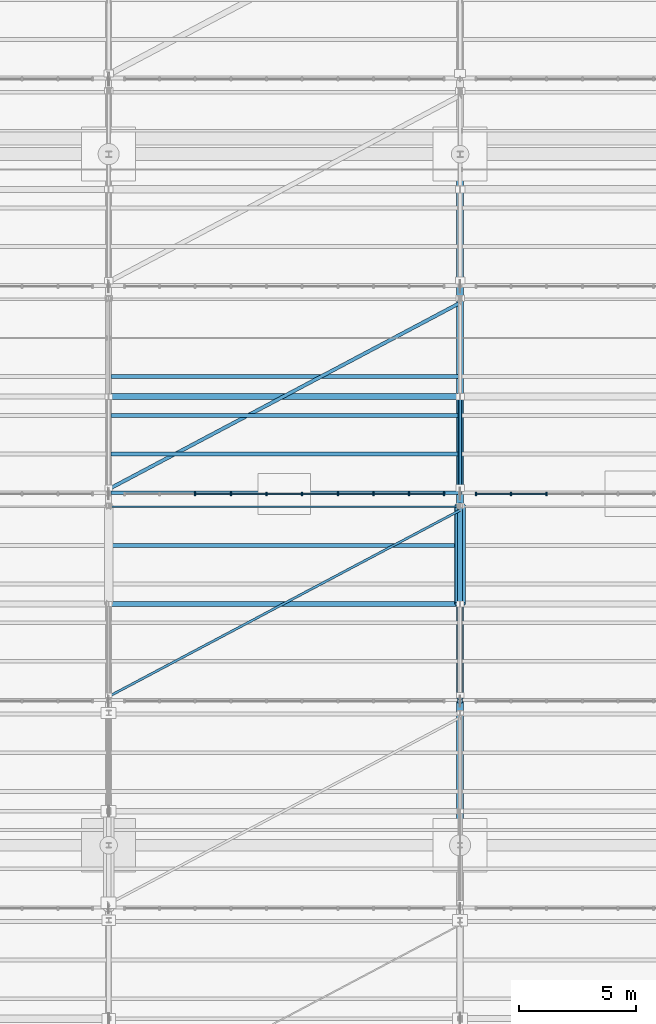
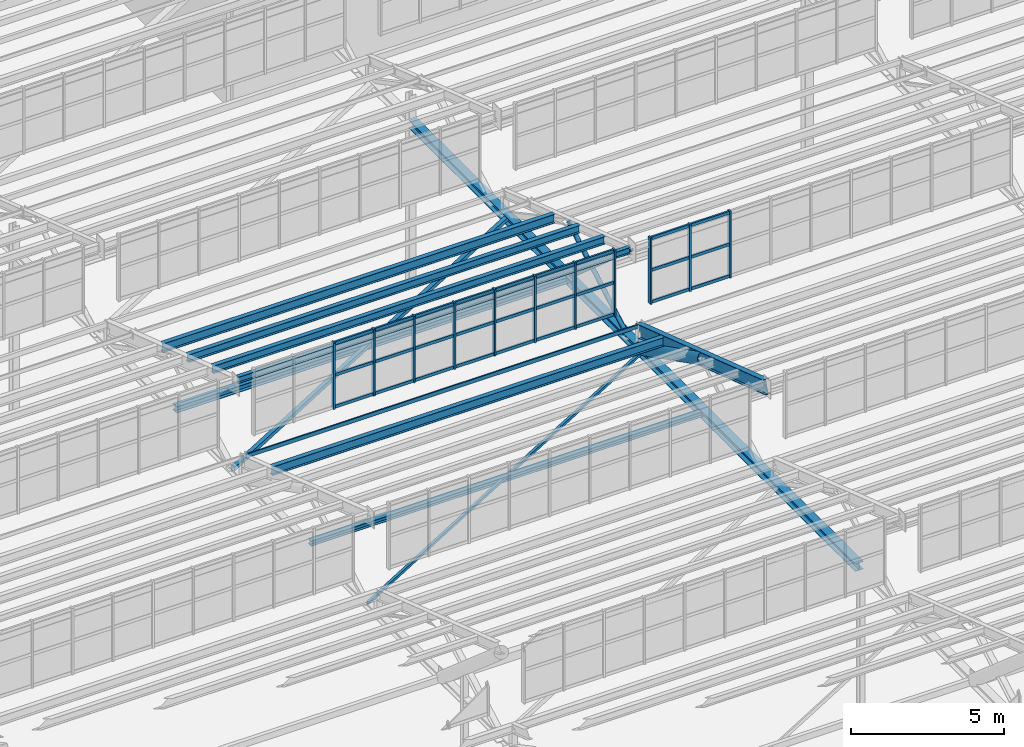
# One storey, part 70 of 285: 45 members, 8 beams, 2 elements without a shape of their own.
"""IFC4 building model written with IfcOpenShell, lengths in metres."""

from ifc_helpers import new_model, si_unit, direction, frame, origin, origin_2d, place, context, subcontext, project, spatial, rectangle, hollow_rectangle, hollow_circle, i_section, extrude, material, material_profile, profile_set, type_object, element, aggregate, save


model = new_model("IFC4")

# Units and contexts
model_context = context("Model", 3, precision=1e-05, world=origin(), true_north=direction((0.0, 1.0)))
body_context = subcontext(model_context, "Body", "Model", "MODEL_VIEW")
ifc_project = project(units=[si_unit("LENGTHUNIT", "METRE"), si_unit("AREAUNIT", "SQUARE_METRE"), si_unit("VOLUMEUNIT", "CUBIC_METRE"), si_unit("PLANEANGLEUNIT", "RADIAN"), si_unit("MASSUNIT", "GRAM", prefix="KILO")], contexts=[model_context])

# Site, building, storey
site_placement = place(None, origin())
site = spatial("IfcSite", under=ifc_project, at=site_placement, CompositionType="ELEMENT")
building_placement = place(site_placement, origin())
building = spatial("IfcBuilding", under=site, at=building_placement, Name="Solanera Park Tramway Depot", CompositionType="ELEMENT")
storey_placement = place(building_placement, origin())
storey = spatial("IfcBuildingStorey", under=building, at=storey_placement, Name="L00", CompositionType="ELEMENT", Elevation=0.0)

# Curtain wall, members
ifc_material_1 = material(Name="Bronze-anodised thermally broken aluminium curtain wall", Category="aluminium")
curtain_wall_type = type_object("IfcCurtainWallType", Name="Sawtooth Clerestory Monitor Curtain Wall", PredefinedType="NOTDEFINED", material=ifc_material_1)
curtain_wall_1_placement = place(storey_placement, origin())
curtain_wall_1 = element("IfcCurtainWall", 1, at=curtain_wall_1_placement, inside=storey, type_object=curtain_wall_type, Name="L00 Sawtooth Clerestory Monitor Curtain Wall #038", PredefinedType="NOTDEFINED")
ifc_material_2 = material(Name="Bronze-anodised structural aluminium 6063-T6", Category="aluminium")
ifc_material_profile_1 = material_profile(ifc_material_2, rectangle(XDim=0.06494140625, YDim=0.14990234375, at=origin_2d()), Name="Curtain Wall Mullion 65x150")
ifc_profile_set_1 = profile_set([ifc_material_profile_1], Name="Bronze-anodised structural aluminium 6063-T6")
member_type_1 = type_object("IfcMemberType", Name="Curtain Wall Mullion 65x150", PredefinedType="MULLION", material=ifc_profile_set_1)
member_1_placement = place(storey_placement, frame((48.6943359375, 100.0, 7.75), z_axis=(0.0, 0.0, 1.0), x_axis=(1.0, 0.0, 0.0)))
member_1 = element("IfcMember", 2, at=member_1_placement, type_object=member_type_1, Name="CW-L00-038 Mullion 3", PredefinedType="MULLION", context=body_context, shape_type="SweptSolid", body=[
    extrude(rectangle(XDim=0.06494140625, YDim=0.14990234375, at=origin_2d()), origin(), (0.0, 0.0, 1.0), 2.6611328125),
])
member_2_placement = place(storey_placement, frame((50.216796875, 100.0, 7.75), z_axis=(0.0, 0.0, 1.0), x_axis=(1.0, 0.0, 0.0)))
member_2 = element("IfcMember", 3, at=member_2_placement, type_object=member_type_1, Name="CW-L00-038 Mullion 4", PredefinedType="MULLION", context=body_context, shape_type="SweptSolid", body=[
    extrude(rectangle(XDim=0.06494140625, YDim=0.14990234375, at=origin_2d()), origin(), (0.0, 0.0, 1.0), 2.6611328125),
])
member_3_placement = place(storey_placement, frame((51.739013671875, 100.0, 7.75), z_axis=(0.0, 0.0, 1.0), x_axis=(1.0, 0.0, 0.0)))
member_3 = element("IfcMember", 4, at=member_3_placement, type_object=member_type_1, Name="CW-L00-038 Mullion 5", PredefinedType="MULLION", context=body_context, shape_type="SweptSolid", body=[
    extrude(rectangle(XDim=0.06494140625, YDim=0.14990234375, at=origin_2d()), origin(), (0.0, 0.0, 1.0), 2.6611328125),
])
member_4_placement = place(storey_placement, frame((53.260986328125, 100.0, 7.75), z_axis=(0.0, 0.0, 1.0), x_axis=(1.0, 0.0, 0.0)))
member_4 = element("IfcMember", 5, at=member_4_placement, type_object=member_type_1, Name="CW-L00-038 Mullion 6", PredefinedType="MULLION", context=body_context, shape_type="SweptSolid", body=[
    extrude(rectangle(XDim=0.06494140625, YDim=0.14990234375, at=origin_2d()), origin(), (0.0, 0.0, 1.0), 2.6611328125),
])
member_5_placement = place(storey_placement, frame((54.783203125, 100.0, 7.75), z_axis=(0.0, 0.0, 1.0), x_axis=(1.0, 0.0, 0.0)))
member_5 = element("IfcMember", 6, at=member_5_placement, type_object=member_type_1, Name="CW-L00-038 Mullion 7", PredefinedType="MULLION", context=body_context, shape_type="SweptSolid", body=[
    extrude(rectangle(XDim=0.06494140625, YDim=0.14990234375, at=origin_2d()), origin(), (0.0, 0.0, 1.0), 2.6611328125),
])
member_6_placement = place(storey_placement, frame((56.3056640625, 100.0, 7.75), z_axis=(0.0, 0.0, 1.0), x_axis=(1.0, 0.0, 0.0)))
member_6 = element("IfcMember", 7, at=member_6_placement, type_object=member_type_1, Name="CW-L00-038 Mullion 8", PredefinedType="MULLION", context=body_context, shape_type="SweptSolid", body=[
    extrude(rectangle(XDim=0.06494140625, YDim=0.14990234375, at=origin_2d()), origin(), (0.0, 0.0, 1.0), 2.6611328125),
])
member_7_placement = place(storey_placement, frame((57.827880859375, 100.0, 7.75), z_axis=(0.0, 0.0, 1.0), x_axis=(1.0, 0.0, 0.0)))
member_7 = element("IfcMember", 8, at=member_7_placement, type_object=member_type_1, Name="CW-L00-038 Mullion 9", PredefinedType="MULLION", context=body_context, shape_type="SweptSolid", body=[
    extrude(rectangle(XDim=0.06494140625, YDim=0.14990234375, at=origin_2d()), origin(), (0.0, 0.0, 1.0), 2.6611328125),
])
member_8_placement = place(storey_placement, frame((59.3173828125, 100.0, 7.75), z_axis=(0.0, 0.0, 1.0), x_axis=(1.0, 0.0, 0.0)))
member_8 = element("IfcMember", 9, at=member_8_placement, type_object=member_type_1, Name="CW-L00-038 Mullion 10", PredefinedType="MULLION", context=body_context, shape_type="SweptSolid", body=[
    extrude(rectangle(XDim=0.06494140625, YDim=0.14990234375, at=origin_2d()), origin(), (0.0, 0.0, 1.0), 2.6611328125),
])

curtain_wall_2_placement = place(storey_placement, origin())
curtain_wall_2 = element("IfcCurtainWall", 10, at=curtain_wall_2_placement, inside=storey, type_object=curtain_wall_type, Name="L00 Sawtooth Clerestory Monitor Curtain Wall #039", PredefinedType="NOTDEFINED")
member_9_placement = place(storey_placement, frame((60.6826171875, 100.0, 7.75), z_axis=(0.0, 0.0, 1.0), x_axis=(1.0, 0.0, 0.0)))
member_9 = element("IfcMember", 11, at=member_9_placement, type_object=member_type_1, Name="CW-L00-039 Mullion 1", PredefinedType="MULLION", context=body_context, shape_type="SweptSolid", body=[
    extrude(rectangle(XDim=0.06494140625, YDim=0.14990234375, at=origin_2d()), origin(), (0.0, 0.0, 1.0), 2.6611328125),
])
member_10_placement = place(storey_placement, frame((62.172119140625, 100.0, 7.75), z_axis=(0.0, 0.0, 1.0), x_axis=(1.0, 0.0, 0.0)))
member_10 = element("IfcMember", 12, at=member_10_placement, type_object=member_type_1, Name="CW-L00-039 Mullion 2", PredefinedType="MULLION", context=body_context, shape_type="SweptSolid", body=[
    extrude(rectangle(XDim=0.06494140625, YDim=0.14990234375, at=origin_2d()), origin(), (0.0, 0.0, 1.0), 2.6611328125),
])
member_11_placement = place(storey_placement, frame((63.6943359375, 100.0, 7.75), z_axis=(0.0, 0.0, 1.0), x_axis=(1.0, 0.0, 0.0)))
member_11 = element("IfcMember", 13, at=member_11_placement, type_object=member_type_1, Name="CW-L00-039 Mullion 3", PredefinedType="MULLION", context=body_context, shape_type="SweptSolid", body=[
    extrude(rectangle(XDim=0.06494140625, YDim=0.14990234375, at=origin_2d()), origin(), (0.0, 0.0, 1.0), 2.6611328125),
])

# Member
ifc_material_3 = material(Name="Bronze-anodised structural aluminium 6063-T6", Category="aluminium")
ifc_material_profile_2 = material_profile(ifc_material_3, rectangle(XDim=0.06494140625, YDim=0.1201171875, at=origin_2d()), Name="Curtain Wall Transom 65x120")
ifc_profile_set_2 = profile_set([ifc_material_profile_2], Name="Bronze-anodised structural aluminium 6063-T6")
member_type_2 = type_object("IfcMemberType", Name="Curtain Wall Transom 65x120", PredefinedType="USERDEFINED", material=ifc_profile_set_2)
member_12_placement = place(storey_placement, frame((48.722412109375, 100.0, 7.81005859375), z_axis=(1.0, 0.0, 0.0), x_axis=(0.0, 1.0, 0.0)))
member_12 = element("IfcMember", 14, at=member_12_placement, type_object=member_type_2, Name="CW-L00-038 Transom R1.C3", ObjectType="TRANSOM", PredefinedType="USERDEFINED", context=body_context, shape_type="SweptSolid", body=[
    extrude(rectangle(XDim=0.06494140625, YDim=0.1201171875, at=origin_2d()), origin(), (0.0, 0.0, 1.0), 1.46630859375),
])

member_13_placement = place(storey_placement, frame((50.24462890625, 100.0, 7.81005859375), z_axis=(1.0, 0.0, 0.0), x_axis=(0.0, 1.0, 0.0)))
member_13 = element("IfcMember", 15, at=member_13_placement, type_object=member_type_2, Name="CW-L00-038 Transom R1.C4", ObjectType="TRANSOM", PredefinedType="USERDEFINED", context=body_context, shape_type="SweptSolid", body=[
    extrude(rectangle(XDim=0.06494140625, YDim=0.1201171875, at=origin_2d()), origin(), (0.0, 0.0, 1.0), 1.46630859375),
])

member_14_placement = place(storey_placement, frame((51.766845703125, 100.0, 7.81005859375), z_axis=(1.0, 0.0, 0.0), x_axis=(0.0, 1.0, 0.0)))
member_14 = element("IfcMember", 16, at=member_14_placement, type_object=member_type_2, Name="CW-L00-038 Transom R1.C5", ObjectType="TRANSOM", PredefinedType="USERDEFINED", context=body_context, shape_type="SweptSolid", body=[
    extrude(rectangle(XDim=0.06494140625, YDim=0.1201171875, at=origin_2d()), origin(), (0.0, 0.0, 1.0), 1.46630859375),
])

member_15_placement = place(storey_placement, frame((53.2890625, 100.0, 7.81005859375), z_axis=(1.0, 0.0, 0.0), x_axis=(0.0, 1.0, 0.0)))
member_15 = element("IfcMember", 17, at=member_15_placement, type_object=member_type_2, Name="CW-L00-038 Transom R1.C6", ObjectType="TRANSOM", PredefinedType="USERDEFINED", context=body_context, shape_type="SweptSolid", body=[
    extrude(rectangle(XDim=0.06494140625, YDim=0.1201171875, at=origin_2d()), origin(), (0.0, 0.0, 1.0), 1.46630859375),
])

member_16_placement = place(storey_placement, frame((54.811279296875, 100.0, 7.81005859375), z_axis=(1.0, 0.0, 0.0), x_axis=(0.0, 1.0, 0.0)))
member_16 = element("IfcMember", 18, at=member_16_placement, type_object=member_type_2, Name="CW-L00-038 Transom R1.C7", ObjectType="TRANSOM", PredefinedType="USERDEFINED", context=body_context, shape_type="SweptSolid", body=[
    extrude(rectangle(XDim=0.06494140625, YDim=0.1201171875, at=origin_2d()), origin(), (0.0, 0.0, 1.0), 1.46630859375),
])

member_17_placement = place(storey_placement, frame((56.33349609375, 100.0, 7.81005859375), z_axis=(1.0, 0.0, 0.0), x_axis=(0.0, 1.0, 0.0)))
member_17 = element("IfcMember", 19, at=member_17_placement, type_object=member_type_2, Name="CW-L00-038 Transom R1.C8", ObjectType="TRANSOM", PredefinedType="USERDEFINED", context=body_context, shape_type="SweptSolid", body=[
    extrude(rectangle(XDim=0.06494140625, YDim=0.1201171875, at=origin_2d()), origin(), (0.0, 0.0, 1.0), 1.46630859375),
])

member_18_placement = place(storey_placement, frame((57.855712890625, 100.0, 7.81005859375), z_axis=(1.0, 0.0, 0.0), x_axis=(0.0, 1.0, 0.0)))
member_18 = element("IfcMember", 20, at=member_18_placement, type_object=member_type_2, Name="CW-L00-038 Transom R1.C9", ObjectType="TRANSOM", PredefinedType="USERDEFINED", context=body_context, shape_type="SweptSolid", body=[
    extrude(rectangle(XDim=0.06494140625, YDim=0.1201171875, at=origin_2d()), origin(), (0.0, 0.0, 1.0), 1.433837890625),
])

member_19_placement = place(storey_placement, frame((48.722412109375, 100.0, 9.08056640625), z_axis=(1.0, 0.0, 0.0), x_axis=(0.0, 1.0, 0.0)))
member_19 = element("IfcMember", 21, at=member_19_placement, type_object=member_type_2, Name="CW-L00-038 Transom R2.C3", ObjectType="TRANSOM", PredefinedType="USERDEFINED", context=body_context, shape_type="SweptSolid", body=[
    extrude(rectangle(XDim=0.06494140625, YDim=0.1201171875, at=origin_2d()), origin(), (0.0, 0.0, 1.0), 1.46630859375),
])

member_20_placement = place(storey_placement, frame((50.24462890625, 100.0, 9.08056640625), z_axis=(1.0, 0.0, 0.0), x_axis=(0.0, 1.0, 0.0)))
member_20 = element("IfcMember", 22, at=member_20_placement, type_object=member_type_2, Name="CW-L00-038 Transom R2.C4", ObjectType="TRANSOM", PredefinedType="USERDEFINED", context=body_context, shape_type="SweptSolid", body=[
    extrude(rectangle(XDim=0.06494140625, YDim=0.1201171875, at=origin_2d()), origin(), (0.0, 0.0, 1.0), 1.46630859375),
])

member_21_placement = place(storey_placement, frame((51.766845703125, 100.0, 9.08056640625), z_axis=(1.0, 0.0, 0.0), x_axis=(0.0, 1.0, 0.0)))
member_21 = element("IfcMember", 23, at=member_21_placement, type_object=member_type_2, Name="CW-L00-038 Transom R2.C5", ObjectType="TRANSOM", PredefinedType="USERDEFINED", context=body_context, shape_type="SweptSolid", body=[
    extrude(rectangle(XDim=0.06494140625, YDim=0.1201171875, at=origin_2d()), origin(), (0.0, 0.0, 1.0), 1.46630859375),
])

member_22_placement = place(storey_placement, frame((53.2890625, 100.0, 9.08056640625), z_axis=(1.0, 0.0, 0.0), x_axis=(0.0, 1.0, 0.0)))
member_22 = element("IfcMember", 24, at=member_22_placement, type_object=member_type_2, Name="CW-L00-038 Transom R2.C6", ObjectType="TRANSOM", PredefinedType="USERDEFINED", context=body_context, shape_type="SweptSolid", body=[
    extrude(rectangle(XDim=0.06494140625, YDim=0.1201171875, at=origin_2d()), origin(), (0.0, 0.0, 1.0), 1.46630859375),
])

member_23_placement = place(storey_placement, frame((54.811279296875, 100.0, 9.08056640625), z_axis=(1.0, 0.0, 0.0), x_axis=(0.0, 1.0, 0.0)))
member_23 = element("IfcMember", 25, at=member_23_placement, type_object=member_type_2, Name="CW-L00-038 Transom R2.C7", ObjectType="TRANSOM", PredefinedType="USERDEFINED", context=body_context, shape_type="SweptSolid", body=[
    extrude(rectangle(XDim=0.06494140625, YDim=0.1201171875, at=origin_2d()), origin(), (0.0, 0.0, 1.0), 1.46630859375),
])

member_24_placement = place(storey_placement, frame((56.33349609375, 100.0, 9.08056640625), z_axis=(1.0, 0.0, 0.0), x_axis=(0.0, 1.0, 0.0)))
member_24 = element("IfcMember", 26, at=member_24_placement, type_object=member_type_2, Name="CW-L00-038 Transom R2.C8", ObjectType="TRANSOM", PredefinedType="USERDEFINED", context=body_context, shape_type="SweptSolid", body=[
    extrude(rectangle(XDim=0.06494140625, YDim=0.1201171875, at=origin_2d()), origin(), (0.0, 0.0, 1.0), 1.46630859375),
])

member_25_placement = place(storey_placement, frame((57.855712890625, 100.0, 9.08056640625), z_axis=(1.0, 0.0, 0.0), x_axis=(0.0, 1.0, 0.0)))
member_25 = element("IfcMember", 27, at=member_25_placement, type_object=member_type_2, Name="CW-L00-038 Transom R2.C9", ObjectType="TRANSOM", PredefinedType="USERDEFINED", context=body_context, shape_type="SweptSolid", body=[
    extrude(rectangle(XDim=0.06494140625, YDim=0.1201171875, at=origin_2d()), origin(), (0.0, 0.0, 1.0), 1.433837890625),
])

member_26_placement = place(storey_placement, frame((48.722412109375, 100.0, 10.351318359375), z_axis=(1.0, 0.0, 0.0), x_axis=(0.0, 1.0, 0.0)))
member_26 = element("IfcMember", 28, at=member_26_placement, type_object=member_type_2, Name="CW-L00-038 Transom R3.C3", ObjectType="TRANSOM", PredefinedType="USERDEFINED", context=body_context, shape_type="SweptSolid", body=[
    extrude(rectangle(XDim=0.06494140625, YDim=0.1201171875, at=origin_2d()), origin(), (0.0, 0.0, 1.0), 1.46630859375),
])

member_27_placement = place(storey_placement, frame((50.24462890625, 100.0, 10.351318359375), z_axis=(1.0, 0.0, 0.0), x_axis=(0.0, 1.0, 0.0)))
member_27 = element("IfcMember", 29, at=member_27_placement, type_object=member_type_2, Name="CW-L00-038 Transom R3.C4", ObjectType="TRANSOM", PredefinedType="USERDEFINED", context=body_context, shape_type="SweptSolid", body=[
    extrude(rectangle(XDim=0.06494140625, YDim=0.1201171875, at=origin_2d()), origin(), (0.0, 0.0, 1.0), 1.46630859375),
])

member_28_placement = place(storey_placement, frame((51.766845703125, 100.0, 10.351318359375), z_axis=(1.0, 0.0, 0.0), x_axis=(0.0, 1.0, 0.0)))
member_28 = element("IfcMember", 30, at=member_28_placement, type_object=member_type_2, Name="CW-L00-038 Transom R3.C5", ObjectType="TRANSOM", PredefinedType="USERDEFINED", context=body_context, shape_type="SweptSolid", body=[
    extrude(rectangle(XDim=0.06494140625, YDim=0.1201171875, at=origin_2d()), origin(), (0.0, 0.0, 1.0), 1.46630859375),
])

member_29_placement = place(storey_placement, frame((53.2890625, 100.0, 10.351318359375), z_axis=(1.0, 0.0, 0.0), x_axis=(0.0, 1.0, 0.0)))
member_29 = element("IfcMember", 31, at=member_29_placement, type_object=member_type_2, Name="CW-L00-038 Transom R3.C6", ObjectType="TRANSOM", PredefinedType="USERDEFINED", context=body_context, shape_type="SweptSolid", body=[
    extrude(rectangle(XDim=0.06494140625, YDim=0.1201171875, at=origin_2d()), origin(), (0.0, 0.0, 1.0), 1.46630859375),
])

member_30_placement = place(storey_placement, frame((54.811279296875, 100.0, 10.351318359375), z_axis=(1.0, 0.0, 0.0), x_axis=(0.0, 1.0, 0.0)))
member_30 = element("IfcMember", 32, at=member_30_placement, type_object=member_type_2, Name="CW-L00-038 Transom R3.C7", ObjectType="TRANSOM", PredefinedType="USERDEFINED", context=body_context, shape_type="SweptSolid", body=[
    extrude(rectangle(XDim=0.06494140625, YDim=0.1201171875, at=origin_2d()), origin(), (0.0, 0.0, 1.0), 1.46630859375),
])

member_31_placement = place(storey_placement, frame((56.33349609375, 100.0, 10.351318359375), z_axis=(1.0, 0.0, 0.0), x_axis=(0.0, 1.0, 0.0)))
member_31 = element("IfcMember", 33, at=member_31_placement, type_object=member_type_2, Name="CW-L00-038 Transom R3.C8", ObjectType="TRANSOM", PredefinedType="USERDEFINED", context=body_context, shape_type="SweptSolid", body=[
    extrude(rectangle(XDim=0.06494140625, YDim=0.1201171875, at=origin_2d()), origin(), (0.0, 0.0, 1.0), 1.46630859375),
])

member_32_placement = place(storey_placement, frame((57.855712890625, 100.0, 10.351318359375), z_axis=(1.0, 0.0, 0.0), x_axis=(0.0, 1.0, 0.0)))
member_32 = element("IfcMember", 34, at=member_32_placement, type_object=member_type_2, Name="CW-L00-038 Transom R3.C9", ObjectType="TRANSOM", PredefinedType="USERDEFINED", context=body_context, shape_type="SweptSolid", body=[
    extrude(rectangle(XDim=0.06494140625, YDim=0.1201171875, at=origin_2d()), origin(), (0.0, 0.0, 1.0), 1.433837890625),
])

aggregate(curtain_wall_1, [member_1, member_2, member_3, member_4, member_5, member_6, member_7, member_8, member_12, member_13, member_14, member_15, member_16, member_17, member_18, member_19, member_20, member_21, member_22, member_23, member_24, member_25, member_26, member_27, member_28, member_29, member_30, member_31, member_32])

member_33_placement = place(storey_placement, frame((60.71044921875, 100.0, 7.81005859375), z_axis=(1.0, 0.0, 0.0), x_axis=(0.0, 1.0, 0.0)))
member_33 = element("IfcMember", 35, at=member_33_placement, type_object=member_type_2, Name="CW-L00-039 Transom R1.C1", ObjectType="TRANSOM", PredefinedType="USERDEFINED", context=body_context, shape_type="SweptSolid", body=[
    extrude(rectangle(XDim=0.06494140625, YDim=0.1201171875, at=origin_2d()), origin(), (0.0, 0.0, 1.0), 1.433837890625),
])

member_34_placement = place(storey_placement, frame((62.2001953125, 100.0, 7.81005859375), z_axis=(1.0, 0.0, 0.0), x_axis=(0.0, 1.0, 0.0)))
member_34 = element("IfcMember", 36, at=member_34_placement, type_object=member_type_2, Name="CW-L00-039 Transom R1.C2", ObjectType="TRANSOM", PredefinedType="USERDEFINED", context=body_context, shape_type="SweptSolid", body=[
    extrude(rectangle(XDim=0.06494140625, YDim=0.1201171875, at=origin_2d()), origin(), (0.0, 0.0, 1.0), 1.46630859375),
])

member_35_placement = place(storey_placement, frame((60.71044921875, 100.0, 9.08056640625), z_axis=(1.0, 0.0, 0.0), x_axis=(0.0, 1.0, 0.0)))
member_35 = element("IfcMember", 37, at=member_35_placement, type_object=member_type_2, Name="CW-L00-039 Transom R2.C1", ObjectType="TRANSOM", PredefinedType="USERDEFINED", context=body_context, shape_type="SweptSolid", body=[
    extrude(rectangle(XDim=0.06494140625, YDim=0.1201171875, at=origin_2d()), origin(), (0.0, 0.0, 1.0), 1.433837890625),
])

member_36_placement = place(storey_placement, frame((62.2001953125, 100.0, 9.08056640625), z_axis=(1.0, 0.0, 0.0), x_axis=(0.0, 1.0, 0.0)))
member_36 = element("IfcMember", 38, at=member_36_placement, type_object=member_type_2, Name="CW-L00-039 Transom R2.C2", ObjectType="TRANSOM", PredefinedType="USERDEFINED", context=body_context, shape_type="SweptSolid", body=[
    extrude(rectangle(XDim=0.06494140625, YDim=0.1201171875, at=origin_2d()), origin(), (0.0, 0.0, 1.0), 1.46630859375),
])

member_37_placement = place(storey_placement, frame((60.71044921875, 100.0, 10.351318359375), z_axis=(1.0, 0.0, 0.0), x_axis=(0.0, 1.0, 0.0)))
member_37 = element("IfcMember", 39, at=member_37_placement, type_object=member_type_2, Name="CW-L00-039 Transom R3.C1", ObjectType="TRANSOM", PredefinedType="USERDEFINED", context=body_context, shape_type="SweptSolid", body=[
    extrude(rectangle(XDim=0.06494140625, YDim=0.1201171875, at=origin_2d()), origin(), (0.0, 0.0, 1.0), 1.433837890625),
])

member_38_placement = place(storey_placement, frame((62.2001953125, 100.0, 10.351318359375), z_axis=(1.0, 0.0, 0.0), x_axis=(0.0, 1.0, 0.0)))
member_38 = element("IfcMember", 40, at=member_38_placement, type_object=member_type_2, Name="CW-L00-039 Transom R3.C2", ObjectType="TRANSOM", PredefinedType="USERDEFINED", context=body_context, shape_type="SweptSolid", body=[
    extrude(rectangle(XDim=0.06494140625, YDim=0.1201171875, at=origin_2d()), origin(), (0.0, 0.0, 1.0), 1.46630859375),
])

aggregate(curtain_wall_2, [member_9, member_10, member_11, member_33, member_34, member_35, member_36, member_37, member_38])

# Members
ifc_material_4 = material(Name="Steel AS/NZS 1163 Grade C350L0", Category="steel")
ifc_material_profile_3 = material_profile(ifc_material_4, hollow_circle(Radius=0.084228515625, WallThickness=0.00634765625, at=origin_2d()), Name="168.3x6.4 CHS")
ifc_profile_set_3 = profile_set([ifc_material_profile_3], Name="Steel AS/NZS 1163 Grade C350L0")
member_type_3 = type_object("IfcMemberType", Name="Roof Gantry Compression Strut 168.3x6.4 CHS", PredefinedType="STRUT", material=ifc_profile_set_3)
member_39_placement = place(storey_placement, frame((60.0, 100.25, 6.5), z_axis=(0.0, 0.866884023838, 0.498509868723), x_axis=(-1.0, 0.0, 0.0)))
element("IfcMember", 41, at=member_39_placement, inside=storey, type_object=member_type_3, Name="Sawtooth ROOF TRUSS Strut 168.3x6.4 CHS #0240", PredefinedType="STRUT", context=body_context, shape_type="SweptSolid", body=[
    extrude(hollow_circle(Radius=0.084228515625, WallThickness=0.00634765625, at=origin_2d()), origin(), (0.0, 0.0, 1.0), 4.498779296875),
])
ifc_material_5 = material(Name="Steel AS/NZS 3679.1 Grade 350", Category="steel")
ifc_material_profile_4 = material_profile(ifc_material_5, i_section(OverallWidth=0.203369140625, OverallDepth=0.203369140625, WebThickness=0.00732421875, FlangeThickness=0.010986328125, at=origin_2d()), Name="200UC46.2")
ifc_profile_set_4 = profile_set([ifc_material_profile_4], Name="Steel AS/NZS 3679.1 Grade 350")
member_type_4 = type_object("IfcMemberType", Name="Secondary Truss Chord 200UC46.2", PredefinedType="CHORD", material=ifc_profile_set_4)
member_40_placement = place(storey_placement, frame((45.087890625, 95.300048828125, 6.5), z_axis=(1.0, 0.0, 0.0), x_axis=(0.0, 1.0, 0.0)))
element("IfcMember", 42, at=member_40_placement, inside=storey, type_object=member_type_4, Name="Sawtooth Longitudinal Tie Chord 200UC46.2 #0216", PredefinedType="CHORD", context=body_context, shape_type="SweptSolid", body=[
    extrude(i_section(OverallWidth=0.203369140625, OverallDepth=0.203369140625, WebThickness=0.00732421875, FlangeThickness=0.010986328125, at=origin_2d()), origin(), (0.0, 0.0, 1.0), 14.82421875),
])
ifc_material_6 = material(Name="Steel AS/NZS 3679.1 Grade 350", Category="steel")
ifc_material_profile_5 = material_profile(ifc_material_6, i_section(OverallWidth=0.25390625, OverallDepth=0.25390625, WebThickness=0.008544921875, FlangeThickness=0.01416015625, at=origin_2d()), Name="250UC72.9")
ifc_profile_set_5 = profile_set([ifc_material_profile_5], Name="Steel AS/NZS 3679.1 Grade 350")
member_type_5 = type_object("IfcMemberType", Name="Secondary Truss Chord 250UC72.9", PredefinedType="CHORD", material=ifc_profile_set_5)
member_41_placement = place(storey_placement, frame((45.087890625, 104.14990234375, 6.5), z_axis=(1.0, 0.0, 0.0), x_axis=(0.0, 1.0, 0.0)))
element("IfcMember", 43, at=member_41_placement, inside=storey, type_object=member_type_5, Name="Sawtooth Longitudinal Tie Chord 250UC72.9 #0263", PredefinedType="CHORD", context=body_context, shape_type="SweptSolid", body=[
    extrude(i_section(OverallWidth=0.25390625, OverallDepth=0.25390625, WebThickness=0.008544921875, FlangeThickness=0.01416015625, at=origin_2d()), origin(), (0.0, 0.0, 1.0), 14.82421875),
])

# Beams
ifc_material_7 = material(Name="Steel AS/NZS 3679.1 Grade 350", Category="steel")
ifc_material_profile_6 = material_profile(ifc_material_7, i_section(OverallWidth=0.306884765625, OverallDepth=0.314697265625, WebThickness=0.011962890625, FlangeThickness=0.018798828125, at=origin_2d()), Name="310UC118")
ifc_profile_set_6 = profile_set([ifc_material_profile_6], Name="Steel AS/NZS 3679.1 Grade 350")
beam_type_1 = type_object("IfcBeamType", Name="Steel Beam 310UC118", PredefinedType="BEAM", material=ifc_profile_set_6)
beam_1_placement = place(storey_placement, frame((60.0, 85.1025390625, 6.5), z_axis=(0.0, 1.0, 0.0), x_axis=(-1.0, 0.0, 0.0)))
element("IfcBeam", 44, at=beam_1_placement, inside=storey, type_object=beam_type_1, Name="Sawtooth ROOF TRUSS Bottom Chord 310UC118 #0380", PredefinedType="BEAM", context=body_context, shape_type="SweptSolid", body=[
    extrude(i_section(OverallWidth=0.306884765625, OverallDepth=0.314697265625, WebThickness=0.011962890625, FlangeThickness=0.018798828125, at=origin_2d()), origin(), (0.0, 0.0, 1.0), 29.269775390625),
])
ifc_material_8 = material(Name="Steel AS/NZS 3679.1 Grade 350", Category="steel")
ifc_material_profile_7 = material_profile(ifc_material_8, i_section(OverallWidth=0.209228515625, OverallDepth=0.532958984375, WebThickness=0.01025390625, FlangeThickness=0.015625, at=origin_2d()), Name="530UB92.4")
ifc_profile_set_7 = profile_set([ifc_material_profile_7], Name="Steel AS/NZS 3679.1 Grade 350")
beam_type_2 = type_object("IfcBeamType", Name="Steel Beam 530UB92.4", PredefinedType="BEAM", material=ifc_profile_set_7)
beam_2_placement = place(storey_placement, frame((60.0, 91.14990234375, 10.018310546875), z_axis=(0.0, 0.948322229475, -0.317308917435), x_axis=(-1.0, 0.0, 0.0)))
element("IfcBeam", 45, at=beam_2_placement, inside=storey, type_object=beam_type_2, Name="Sawtooth ROOF TRUSS Top Rafter 530UB92.4 B05-T5", PredefinedType="BEAM", context=body_context, shape_type="SweptSolid", body=[
    extrude(i_section(OverallWidth=0.209228515625, OverallDepth=0.532958984375, WebThickness=0.01025390625, FlangeThickness=0.015625, at=origin_2d()), origin(), (0.0, 0.0, 1.0), 8.80517578125),
])
ifc_material_9 = material(Name="Steel AS/NZS 1163 Grade C350L0", Category="steel")
ifc_material_profile_8 = material_profile(ifc_material_9, hollow_rectangle(XDim=0.050048828125, YDim=0.14990234375, WallThickness=0.0048828125, at=origin_2d()), Name="150x50x5.0 RHS")
ifc_profile_set_8 = profile_set([ifc_material_profile_8], Name="Steel AS/NZS 1163 Grade C350L0")
beam_type_3 = type_object("IfcBeamType", Name="Steel Joist Purlin 150x50x5.0 RHS", PredefinedType="JOIST", material=ifc_profile_set_8)
beam_3_placement = place(storey_placement, frame((45.087158203125, 99.449951171875, 7.4462890625), z_axis=(1.0, 0.0, 0.0), x_axis=(0.0, 1.0, 0.0)))
element("IfcBeam", 46, at=beam_3_placement, inside=storey, type_object=beam_type_3, Name="Sawtooth Roof Purlin 150x50x5.0 RHS B05.6", PredefinedType="JOIST", context=body_context, shape_type="SweptSolid", body=[
    extrude(hollow_rectangle(XDim=0.050048828125, YDim=0.14990234375, WallThickness=0.0048828125, at=origin_2d()), origin(), (0.0, 0.0, 1.0), 14.816162109375),
])
ifc_material_10 = material(Name="Steel AS/NZS 3679.1 Grade 350", Category="steel")
ifc_material_profile_9 = material_profile(ifc_material_10, i_section(OverallWidth=0.146484375, OverallDepth=0.256103515625, WebThickness=0.00634765625, FlangeThickness=0.010986328125, at=origin_2d()), Name="250UB37.3")
ifc_profile_set_9 = profile_set([ifc_material_profile_9], Name="Steel AS/NZS 3679.1 Grade 350")
beam_type_4 = type_object("IfcBeamType", Name="Steel Joist Purlin 250UB37.3", PredefinedType="JOIST", material=ifc_profile_set_9)
beam_4_placement = place(storey_placement, frame((45.0966796875, 100.050048828125, 10.137451171875), z_axis=(1.0, 0.0, 0.0), x_axis=(0.0, 1.0, 0.0)))
element("IfcBeam", 47, at=beam_4_placement, inside=storey, type_object=beam_type_4, Name="Sawtooth Roof Purlin 250UB37.3 B06.1", PredefinedType="JOIST", context=body_context, shape_type="SweptSolid", body=[
    extrude(i_section(OverallWidth=0.146484375, OverallDepth=0.256103515625, WebThickness=0.00634765625, FlangeThickness=0.010986328125, at=origin_2d()), origin(), (0.0, 0.0, 1.0), 14.828369140625),
])
ifc_material_11 = material(Name="Steel AS/NZS 3679.1 Grade 350", Category="steel")
ifc_material_profile_10 = material_profile(ifc_material_11, i_section(OverallWidth=0.1650390625, OverallDepth=0.3037109375, WebThickness=0.006103515625, FlangeThickness=0.01025390625, at=origin_2d()), Name="310UB40.4")
ifc_profile_set_10 = profile_set([ifc_material_profile_10], Name="Steel AS/NZS 3679.1 Grade 350")
beam_type_5 = type_object("IfcBeamType", Name="Steel Joist Purlin 310UB40.4", PredefinedType="JOIST", material=ifc_profile_set_10)
beam_5_placement = place(storey_placement, frame((45.0966796875, 101.699951171875, 9.55859375), z_axis=(1.0, 0.0, 0.0), x_axis=(0.0, 1.0, 0.0)))
element("IfcBeam", 48, at=beam_5_placement, inside=storey, type_object=beam_type_5, Name="Sawtooth Roof Purlin 310UB40.4 B06.2", PredefinedType="JOIST", context=body_context, shape_type="SweptSolid", body=[
    extrude(i_section(OverallWidth=0.1650390625, OverallDepth=0.3037109375, WebThickness=0.006103515625, FlangeThickness=0.01025390625, at=origin_2d()), origin(), (0.0, 0.0, 1.0), 14.828369140625),
])
ifc_material_12 = material(Name="Steel AS/NZS 3679.1 Grade 350", Category="steel")
ifc_material_profile_11 = material_profile(ifc_material_12, i_section(OverallWidth=0.166015625, OverallDepth=0.30712890625, WebThickness=0.006591796875, FlangeThickness=0.01171875, at=origin_2d()), Name="310UB46.2")
ifc_profile_set_11 = profile_set([ifc_material_profile_11], Name="Steel AS/NZS 3679.1 Grade 350")
beam_type_6 = type_object("IfcBeamType", Name="Steel Joist Purlin 310UB46.2", PredefinedType="JOIST", material=ifc_profile_set_11)
beam_6_placement = place(storey_placement, frame((45.0966796875, 103.35009765625, 9.004638671875), z_axis=(1.0, 0.0, 0.0), x_axis=(0.0, 1.0, 0.0)))
element("IfcBeam", 49, at=beam_6_placement, inside=storey, type_object=beam_type_6, Name="Sawtooth Roof Purlin 310UB46.2 B06.3", PredefinedType="JOIST", context=body_context, shape_type="SweptSolid", body=[
    extrude(i_section(OverallWidth=0.166015625, OverallDepth=0.30712890625, WebThickness=0.006591796875, FlangeThickness=0.01171875, at=origin_2d()), origin(), (0.0, 0.0, 1.0), 14.828369140625),
])
ifc_material_13 = material(Name="Steel AS/NZS 3679.1 Grade 350", Category="steel")
ifc_material_profile_12 = material_profile(ifc_material_13, i_section(OverallWidth=0.17138671875, OverallDepth=0.355712890625, WebThickness=0.00732421875, FlangeThickness=0.011474609375, at=origin_2d()), Name="360UB50.7")
ifc_profile_set_12 = profile_set([ifc_material_profile_12], Name="Steel AS/NZS 3679.1 Grade 350")
beam_type_7 = type_object("IfcBeamType", Name="Steel Joist Purlin 360UB50.7", PredefinedType="JOIST", material=ifc_profile_set_12)
beam_7_placement = place(storey_placement, frame((45.087158203125, 97.800048828125, 7.875244140625), z_axis=(1.0, 0.0, 0.0), x_axis=(0.0, 1.0, 0.0)))
element("IfcBeam", 50, at=beam_7_placement, inside=storey, type_object=beam_type_7, Name="Sawtooth Roof Purlin 360UB50.7 B05.5", PredefinedType="JOIST", context=body_context, shape_type="SweptSolid", body=[
    extrude(i_section(OverallWidth=0.17138671875, OverallDepth=0.355712890625, WebThickness=0.00732421875, FlangeThickness=0.011474609375, at=origin_2d()), origin(), (0.0, 0.0, 1.0), 14.816162109375),
])
beam_8_placement = place(storey_placement, frame((45.0966796875, 105.0, 8.42724609375), z_axis=(1.0, 0.0, 0.0), x_axis=(0.0, 1.0, 0.0)))
element("IfcBeam", 51, at=beam_8_placement, inside=storey, type_object=beam_type_7, Name="Sawtooth Roof Purlin 360UB50.7 B06.4", PredefinedType="JOIST", context=body_context, shape_type="SweptSolid", body=[
    extrude(i_section(OverallWidth=0.17138671875, OverallDepth=0.355712890625, WebThickness=0.00732421875, FlangeThickness=0.011474609375, at=origin_2d()), origin(), (0.0, 0.0, 1.0), 14.828369140625),
])

# Members
ifc_material_14 = material(Name="Steel AS/NZS 1163 Grade C350L0", Category="steel")
ifc_material_profile_13 = material_profile(ifc_material_14, hollow_rectangle(XDim=0.10009765625, YDim=0.10009765625, WallThickness=0.0048828125, at=origin_2d()), Name="100x100x5.0 SHS")
ifc_profile_set_13 = profile_set([ifc_material_profile_13], Name="Steel AS/NZS 1163 Grade C350L0")
member_type_6 = type_object("IfcMemberType", Name="Truss and Frame Brace 100x100x5.0 SHS", PredefinedType="BRACE", material=ifc_profile_set_13)
member_42_placement = place(storey_placement, frame((45.001953125, 91.35009765625, 6.5), z_axis=(0.883523615038, 0.468386615598, 0.0), x_axis=(-0.468386615598, 0.883523615038, 0.0)))
element("IfcMember", 52, at=member_42_placement, inside=storey, type_object=member_type_6, Name="Roof Plane Cyclonic Brace 100x100x5.0 SHS #0217", PredefinedType="BRACE", context=body_context, shape_type="SweptSolid", body=[
    extrude(hollow_rectangle(XDim=0.10009765625, YDim=0.10009765625, WallThickness=0.0048828125, at=origin_2d()), origin(), (0.0, 0.0, 1.0), 16.97314453125),
])
member_43_placement = place(storey_placement, frame((60.0, 104.14990234375, 6.5), z_axis=(0.0, -0.752582180048, 0.658498338855), x_axis=(1.0, 0.0, 0.0)))
element("IfcMember", 53, at=member_43_placement, inside=storey, type_object=member_type_6, Name="Sawtooth ROOF TRUSS Web Brace 100x100x5.0 SHS #0238", PredefinedType="BRACE", context=body_context, shape_type="SweptSolid", body=[
    extrude(hollow_rectangle(XDim=0.10009765625, YDim=0.10009765625, WallThickness=0.0048828125, at=origin_2d()), origin(), (0.0, 0.0, 1.0), 5.51416015625),
])
ifc_material_15 = material(Name="Steel AS/NZS 1163 Grade C350L0", Category="steel")
ifc_material_profile_14 = material_profile(ifc_material_15, hollow_rectangle(XDim=0.14990234375, YDim=0.14990234375, WallThickness=0.006103515625, at=origin_2d()), Name="150x150x6.0 SHS")
ifc_profile_set_14 = profile_set([ifc_material_profile_14], Name="Steel AS/NZS 1163 Grade C350L0")
member_type_7 = type_object("IfcMemberType", Name="Truss and Frame Brace 150x150x6.0 SHS", PredefinedType="BRACE", material=ifc_profile_set_14)
member_44_placement = place(storey_placement, frame((45.001953125, 100.199951171875, 6.5), z_axis=(0.883523615038, 0.468386615598, 0.0), x_axis=(-0.468386615598, 0.883523615038, 0.0)))
element("IfcMember", 54, at=member_44_placement, inside=storey, type_object=member_type_7, Name="Roof Plane Cyclonic Brace 150x150x6.0 SHS #0264", PredefinedType="BRACE", context=body_context, shape_type="SweptSolid", body=[
    extrude(hollow_rectangle(XDim=0.14990234375, YDim=0.14990234375, WallThickness=0.006103515625, at=origin_2d()), origin(), (0.0, 0.0, 1.0), 16.97314453125),
])
ifc_material_16 = material(Name="Steel AS/NZS 1163 Grade C350L0", Category="steel")
ifc_material_profile_15 = material_profile(ifc_material_16, hollow_circle(Radius=0.228515625, WallThickness=0.0126953125, at=origin_2d()), Name="457.0x12.7 CHS")
ifc_profile_set_15 = profile_set([ifc_material_profile_15], Name="Steel AS/NZS 1163 Grade C350L0")
member_type_8 = type_object("IfcMemberType", Name="Truss and Frame Brace 457.0x12.7 CHS", PredefinedType="BRACE", material=ifc_profile_set_15)
member_45_placement = place(storey_placement, frame((60.0, 99.5, 6.5), z_axis=(0.0, -0.891893316909, 0.452245852665), x_axis=(1.0, 0.0, 0.0)))
element("IfcMember", 55, at=member_45_placement, inside=storey, type_object=member_type_8, Name="Sawtooth ROOF TRUSS Diagonal 457.0x12.7 CHS #0192", PredefinedType="BRACE", context=body_context, shape_type="SweptSolid", body=[
    extrude(hollow_circle(Radius=0.228515625, WallThickness=0.0126953125, at=origin_2d()), origin(), (0.0, 0.0, 1.0), 4.708984375),
])

save(model, "model.ifc")
